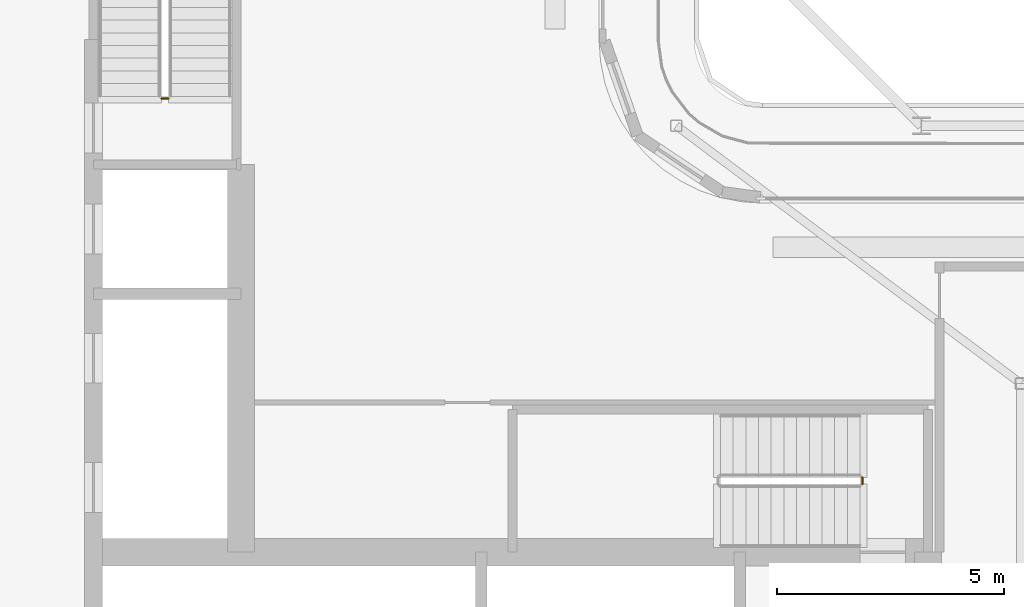
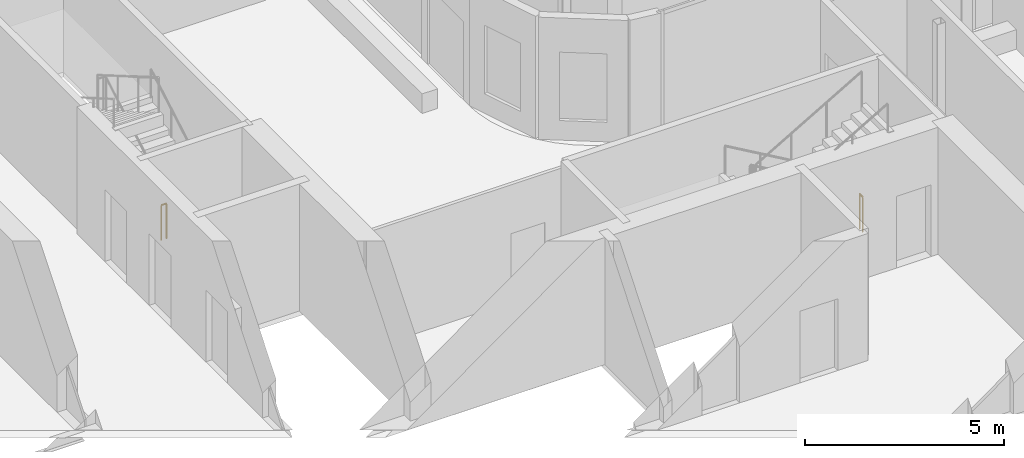
# One storey, part 17 of 21: 2 railings.
"""IFC4 building model written with IfcOpenShell, lengths in metres."""

from ifc_helpers import new_model, si_unit, direction, frame, origin, origin_2d, place, context, subcontext, project, spatial, circle, extrude, material, type_object, element, save


model = new_model("IFC4")

# Units and contexts
model_context = context("Model", 3, precision=1e-05, world=origin(), true_north=direction((0.0, 1.0)))
body_context = subcontext(model_context, "Body", "Model", "MODEL_VIEW")
ifc_project = project(units=[si_unit("LENGTHUNIT", "METRE"), si_unit("AREAUNIT", "SQUARE_METRE"), si_unit("VOLUMEUNIT", "CUBIC_METRE"), si_unit("PLANEANGLEUNIT", "RADIAN"), si_unit("MASSUNIT", "GRAM", prefix="KILO")], contexts=[model_context])

# Site, building, storey
site_placement = place(None, origin())
site = spatial("IfcSite", under=ifc_project, at=site_placement, CompositionType="ELEMENT")
building_placement = place(site_placement, origin())
building = spatial("IfcBuilding", under=site, at=building_placement, Name="Kheshtan School and Residences Tower", CompositionType="ELEMENT")
storey_placement = place(building_placement, frame((0.0, 0.0, 302.0)))
storey = spatial("IfcBuildingStorey", under=building, at=storey_placement, Name="L71", CompositionType="ELEMENT", Elevation=302.0)

# Railings
ifc_material = material(Name="Stainless steel balustrade", Category="steel")
railing_type = type_object("IfcRailingType", Name="Stair guard 1100", PredefinedType="GUARDRAIL", material=ifc_material)
railing_1_placement = place(storey_placement, frame((51.699951171875, 37.85009765625, 0.0)))
element("IfcRailing", 1, at=railing_1_placement, inside=storey, type_object=railing_type, Name="L71 ST1 stair guard 2", PredefinedType="GUARDRAIL", context=body_context, shape_type="SweptSolid", body=[
    extrude(circle(Radius=0.02392578125, at=origin_2d()), frame((0.0, 0.0, 1.076171875), z_axis=(0.0, -1.0, 0.0), x_axis=(1.0, 0.0, 0.0)), (0.0, 0.0, 1.0), 0.150146484375),
    extrude(circle(Radius=0.02099609375, at=origin_2d()), origin(), (0.0, 0.0, 1.0), 1.052001953125),
    extrude(circle(Radius=0.02099609375, at=origin_2d()), frame((0.0, -0.150146484375, 0.0)), (0.0, 0.0, 1.0), 1.052001953125),
])
railing_2_placement = place(storey_placement, frame((36.39990234375, 46.199951171875, 0.0)))
element("IfcRailing", 2, at=railing_2_placement, inside=storey, type_object=railing_type, Name="L71 ST2 stair guard 2", PredefinedType="GUARDRAIL", context=body_context, shape_type="SweptSolid", body=[
    extrude(circle(Radius=0.02392578125, at=origin_2d()), frame((0.0, 0.0, 1.076171875), z_axis=(-1.0, 0.0, 0.0), x_axis=(0.0, -1.0, 0.0)), (0.0, 0.0, 1.0), 0.14990234375),
    extrude(circle(Radius=0.02099609375, at=origin_2d()), origin(), (0.0, 0.0, 1.0), 1.052001953125),
    extrude(circle(Radius=0.02099609375, at=origin_2d()), frame((-0.14990234375, 0.0, 0.0)), (0.0, 0.0, 1.0), 1.052001953125),
])

save(model, "model.ifc")
